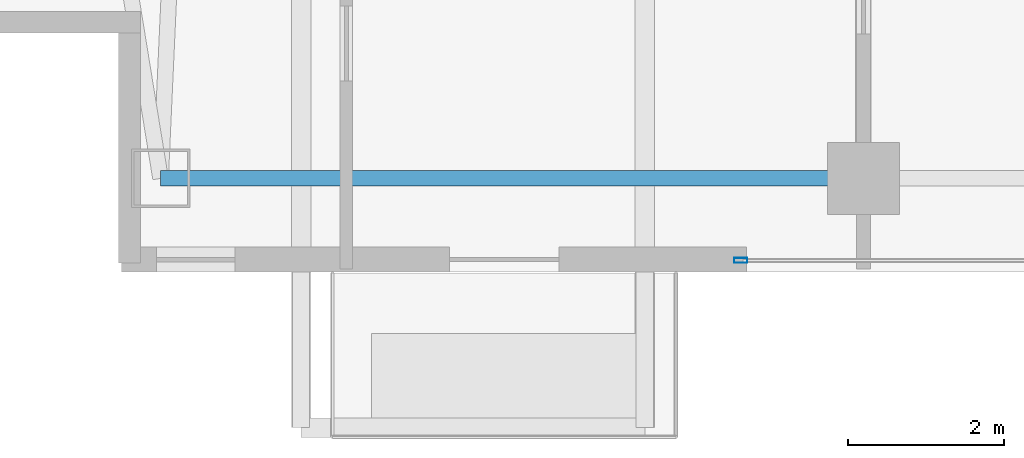
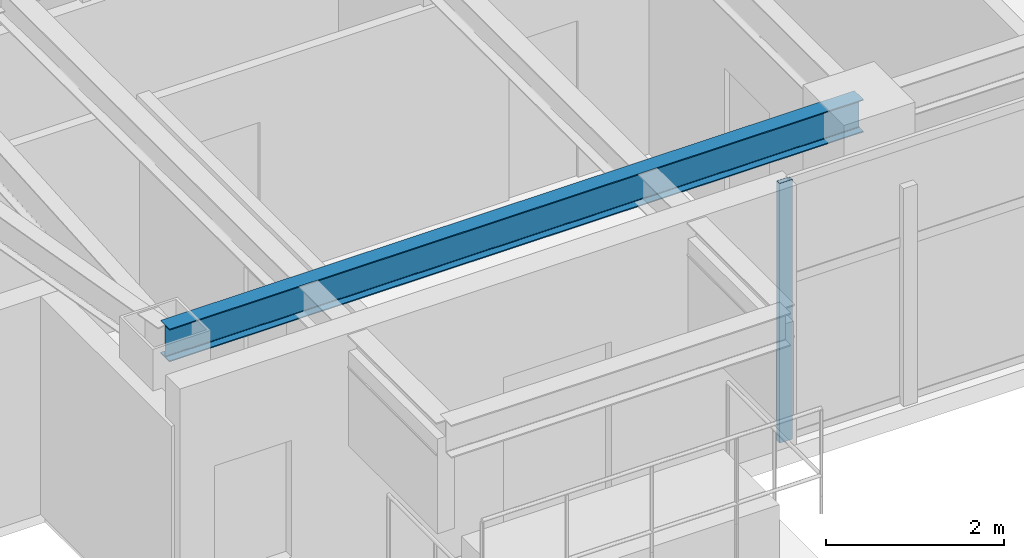
# One storey, part 3 of 29: 1 beam, 1 member, 1 element without a shape of its own.
"""IFC4 building model written with IfcOpenShell, lengths in metres."""

from ifc_helpers import new_model, si_unit, direction, frame, origin, origin_2d, place, context, subcontext, project, spatial, hollow_rectangle, i_section, extrude, material, layer, layer_set, material_profile, profile_set, type_object, element, aggregate, save


model = new_model("IFC4")

# Units and contexts
model_context = context("Model", 3, precision=1e-05, world=origin(), true_north=direction((0.0, 1.0)))
body_context = subcontext(model_context, "Body", "Model", "MODEL_VIEW")
ifc_project = project(units=[si_unit("LENGTHUNIT", "METRE"), si_unit("AREAUNIT", "SQUARE_METRE"), si_unit("VOLUMEUNIT", "CUBIC_METRE"), si_unit("PLANEANGLEUNIT", "RADIAN"), si_unit("MASSUNIT", "GRAM", prefix="KILO")], contexts=[model_context])

# Site, building, storey
site_placement = place(None, origin())
site = spatial("IfcSite", under=ifc_project, at=site_placement, CompositionType="ELEMENT")
building_placement = place(site_placement, origin())
building = spatial("IfcBuilding", under=site, at=building_placement, Name="Calvorn Quay Hotel", CompositionType="ELEMENT")
storey_placement = place(building_placement, frame((0.0, 0.0, 251.39990234375)))
storey = spatial("IfcBuildingStorey", under=building, at=storey_placement, Name="L62", CompositionType="ELEMENT", Elevation=251.39990234375)

# Beam
ifc_material_1 = material(Name="Steel Q355B", Category="steel")
ifc_material_profile_1 = material_profile(ifc_material_1, i_section(OverallWidth=0.199951171875, OverallDepth=0.449951171875, WebThickness=0.009033203125, FlangeThickness=0.013916015625, FilletRadius=0.01611328125, at=origin_2d()), Name="HN450x200x9x14")
ifc_profile_set_1 = profile_set([ifc_material_profile_1], Name="Steel Q355B")
beam_type = type_object("IfcBeamType", Name="BM-SPANDREL-Z3", PredefinedType="SPANDREL", material=ifc_profile_set_1)
beam_placement = place(storey_placement, frame((3.60009765625, 3.60009765625, 3.315185546875), z_axis=(1.0, 0.0, 0.0), x_axis=(0.0, 1.0, 0.0)))
element("IfcBeam", 1, at=beam_placement, inside=storey, type_object=beam_type, Name="Beam BSP-L62-S1", PredefinedType="SPANDREL", context=body_context, shape_type="SweptSolid", body=[
    extrude(i_section(OverallWidth=0.199951171875, OverallDepth=0.449951171875, WebThickness=0.009033203125, FlangeThickness=0.013916015625, FilletRadius=0.01611328125, at=origin_2d()), origin(), (0.0, 0.0, 1.0), 9.0),
])

# Curtain wall, member
ifc_material_2 = material(Name="Champagne Bronze Anodised Aluminium and Low-E Glass", Category="aluminium")
ifc_layer = layer(ifc_material_2, 0.219970703125)
ifc_layer_set = layer_set([ifc_layer], Name="CW-SYS-Z4")
curtain_wall_type = type_object("IfcCurtainWallType", Name="CW-SYS-Z4", PredefinedType="NOTDEFINED", material=ifc_layer_set)
curtain_wall_placement = place(storey_placement, origin())
curtain_wall = element("IfcCurtainWall", 2, at=curtain_wall_placement, inside=storey, type_object=curtain_wall_type, Name="Tower South Waterfront Curtain Wall (L62)", PredefinedType="NOTDEFINED")
ifc_material_3 = material(Name="Champagne Bronze Anodised Aluminium 6063-T6", Category="aluminium")
ifc_material_profile_2 = material_profile(ifc_material_3, hollow_rectangle(XDim=0.06494140625, YDim=0.169921875, WallThickness=0.00341796875, at=origin_2d()), Name="ALU-M170x65x3.5")
ifc_profile_set_2 = profile_set([ifc_material_profile_2], Name="Champagne Bronze Anodised Aluminium 6063-T6")
member_type = type_object("IfcMemberType", Name="CW-SYS-Z4-MUL", PredefinedType="MULLION", material=ifc_profile_set_2)
member_placement = place(storey_placement, frame((11.030029296875, 2.550048828125, 0.0), z_axis=(0.0, 0.0, 1.0), x_axis=(0.0, 1.0, 0.0)))
member = element("IfcMember", 3, at=member_placement, type_object=member_type, Name="CW-L62-S mullion 1", PredefinedType="MULLION", context=body_context, shape_type="SweptSolid", body=[
    extrude(hollow_rectangle(XDim=0.06494140625, YDim=0.169921875, WallThickness=0.00341796875, at=origin_2d()), origin(), (0.0, 0.0, 1.0), 3.56005859375),
])
aggregate(curtain_wall, [member])

save(model, "model.ifc")
